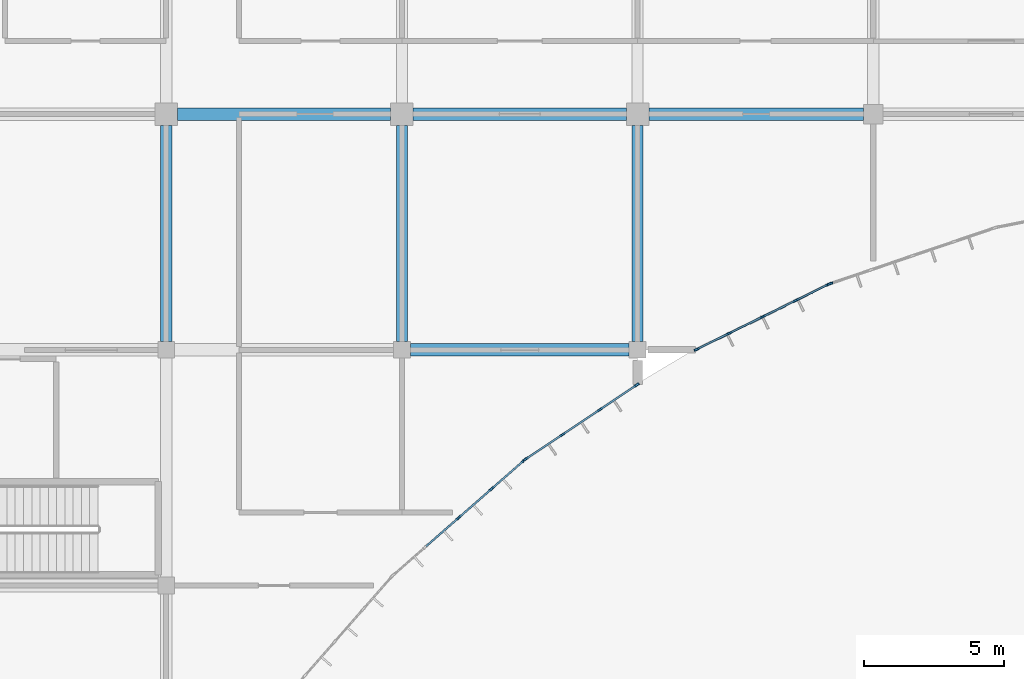
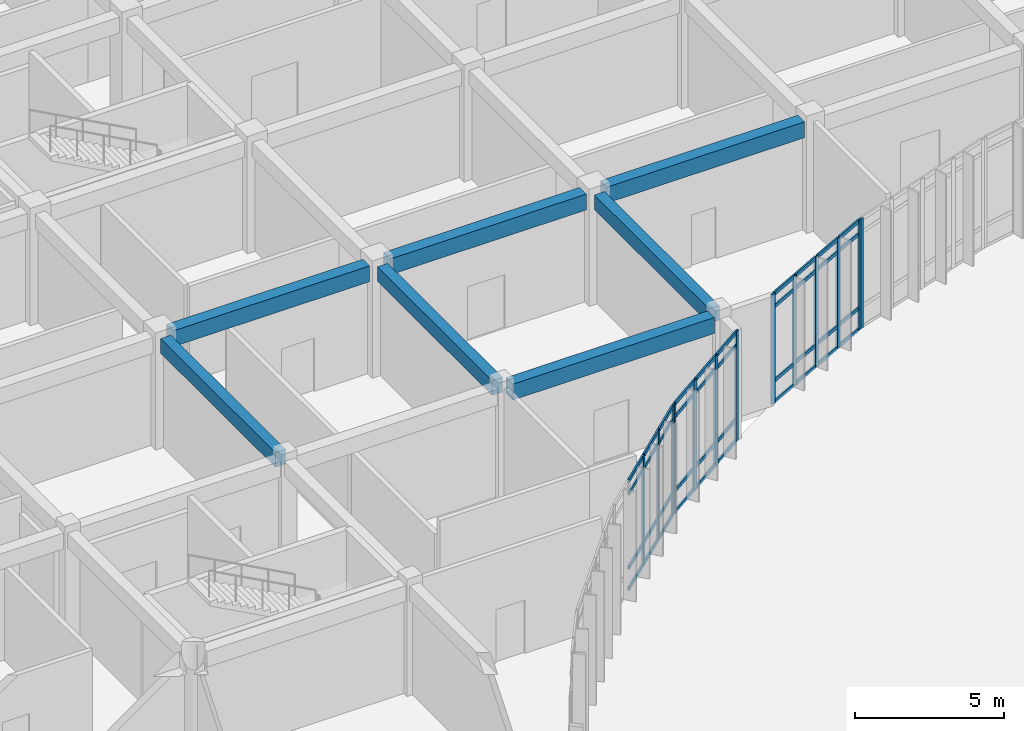
# One storey, part 55 of 138: 53 members, 7 beams, 4 elements without a shape of their own.
"""IFC4 building model written with IfcOpenShell, lengths in metres."""

from ifc_helpers import new_model, si_unit, direction, frame, origin, origin_2d, place, context, subcontext, project, spatial, rectangle, extrude, material, layer, layer_set, material_profile, profile_set, type_object, element, aggregate, save


model = new_model("IFC4")

# Units and contexts
model_context = context("Model", 3, precision=1e-05, world=origin(), true_north=direction((0.0, 1.0)))
body_context = subcontext(model_context, "Body", "Model", "MODEL_VIEW")
ifc_project = project(units=[si_unit("LENGTHUNIT", "METRE"), si_unit("AREAUNIT", "SQUARE_METRE"), si_unit("VOLUMEUNIT", "CUBIC_METRE"), si_unit("PLANEANGLEUNIT", "RADIAN"), si_unit("MASSUNIT", "GRAM", prefix="KILO")], contexts=[model_context])

# Site, building, storey
site_placement = place(None, origin())
site = spatial("IfcSite", under=ifc_project, at=site_placement, CompositionType="ELEMENT")
building_placement = place(site_placement, origin())
building = spatial("IfcBuilding", under=site, at=building_placement, Name="Bramfleet General Hospital", CompositionType="ELEMENT")
storey_placement = place(building_placement, origin())
storey = spatial("IfcBuildingStorey", under=building, at=storey_placement, Name="L00", CompositionType="ELEMENT", Elevation=0.0)

# Beams
ifc_material_1 = material(Name="Concrete C35/45", Category="concrete")
ifc_material_profile_1 = material_profile(ifc_material_1, rectangle(XDim=0.39990234375, YDim=0.60009765625, at=origin_2d()), Name="RC BM 600x400")
ifc_profile_set_1 = profile_set([ifc_material_profile_1], Name="Concrete C35/45")
beam_type_1 = type_object("IfcBeamType", Name="BM-RC600", PredefinedType="BEAM", material=ifc_profile_set_1)
for number, where, z_axis, x_axis, name in (
    (1, (134.39990234375, 84.300048828125, 4.199951171875), (0.0, 1.0, 0.0), (-1.0, 0.0, 0.0), "L00 Grid Beam Y 16-10"),
    (2, (142.800048828125, 84.300048828125, 4.199951171875), (0.0, 1.0, 0.0), (-1.0, 0.0, 0.0), "L00 Grid Beam Y 17-10"),
    (3, (151.199951171875, 84.300048828125, 4.199951171875), (0.0, 1.0, 0.0), (-1.0, 0.0, 0.0), "L00 Grid Beam Y 18-10"),
):
    element("IfcBeam", number, at=place(storey_placement, frame(where, z_axis=z_axis, x_axis=x_axis)), inside=storey, type_object=beam_type_1, Name=name, PredefinedType="BEAM", context=body_context, shape_type="SweptSolid", body=[
        extrude(rectangle(XDim=0.39990234375, YDim=0.60009765625, at=origin_2d()), origin(), (0.0, 0.0, 1.0), 7.699951171875),
    ])
ifc_material_profile_2 = material_profile(ifc_material_1, rectangle(XDim=0.449951171875, YDim=0.64990234375, at=origin_2d()), Name="RC BM 650x450")
ifc_profile_set_2 = profile_set([ifc_material_profile_2], Name="Concrete C35/45")
beam_type_2 = type_object("IfcBeamType", Name="BM-RC650", PredefinedType="BEAM", material=ifc_profile_set_2)
beam_1_placement = place(storey_placement, frame((134.800048828125, 92.39990234375, 4.175048828125), z_axis=(1.0, 0.0, 0.0), x_axis=(0.0, 1.0, 0.0)))
element("IfcBeam", 4, at=beam_1_placement, inside=storey, type_object=beam_type_2, Name="L00 Grid Beam X 16-11", PredefinedType="BEAM", context=body_context, shape_type="SweptSolid", body=[
    extrude(rectangle(XDim=0.449951171875, YDim=0.64990234375, at=origin_2d()), origin(), (0.0, 0.0, 1.0), 7.599853515625),
])
beam_2_placement = place(storey_placement, frame((143.10009765625, 84.0, 4.175048828125), z_axis=(1.0, 0.0, 0.0), x_axis=(0.0, 1.0, 0.0)))
element("IfcBeam", 5, at=beam_2_placement, inside=storey, type_object=beam_type_2, Name="L00 Grid Beam X 17-10", PredefinedType="BEAM", context=body_context, shape_type="SweptSolid", body=[
    extrude(rectangle(XDim=0.449951171875, YDim=0.64990234375, at=origin_2d()), origin(), (0.0, 0.0, 1.0), 7.7998046875),
])
beam_3_placement = place(storey_placement, frame((143.199951171875, 92.39990234375, 4.175048828125), z_axis=(1.0, 0.0, 0.0), x_axis=(0.0, 1.0, 0.0)))
element("IfcBeam", 6, at=beam_3_placement, inside=storey, type_object=beam_type_2, Name="L00 Grid Beam X 17-11", PredefinedType="BEAM", context=body_context, shape_type="SweptSolid", body=[
    extrude(rectangle(XDim=0.449951171875, YDim=0.64990234375, at=origin_2d()), origin(), (0.0, 0.0, 1.0), 7.60009765625),
])
beam_4_placement = place(storey_placement, frame((151.60009765625, 92.39990234375, 4.175048828125), z_axis=(1.0, 0.0, 0.0), x_axis=(0.0, 1.0, 0.0)))
element("IfcBeam", 7, at=beam_4_placement, inside=storey, type_object=beam_type_2, Name="L00 Grid Beam X 18-11", PredefinedType="BEAM", context=body_context, shape_type="SweptSolid", body=[
    extrude(rectangle(XDim=0.449951171875, YDim=0.64990234375, at=origin_2d()), origin(), (0.0, 0.0, 1.0), 7.64990234375),
])

# Curtain wall, member
ifc_material_2 = material(Name="Anodised aluminium and low-E triple glazing", Category="aluminium")
ifc_layer_1 = layer(ifc_material_2, 0.179931640625, Name="CWT-CW-12")
ifc_layer_set_1 = layer_set([ifc_layer_1], Name="Anodised aluminium and low-E triple glazing")
curtain_wall_type_1 = type_object("IfcCurtainWallType", Name="CWT-CW-12", PredefinedType="USERDEFINED", material=ifc_layer_set_1)
curtain_wall_1_placement = place(storey_placement, origin())
curtain_wall_1 = element("IfcCurtainWall", 8, at=curtain_wall_1_placement, inside=storey, type_object=curtain_wall_type_1, Name="L00 Curtain Wall 12", ObjectType="Stick curtain wall", PredefinedType="USERDEFINED")
ifc_material_3 = material(Name="Structural timber GL28h", Category="wood")
ifc_material_profile_3 = material_profile(ifc_material_3, rectangle(XDim=0.070068359375, YDim=0.18994140625, at=origin_2d()), Name="LARCH 190x70")
ifc_profile_set_3 = profile_set([ifc_material_profile_3], Name="Structural timber GL28h")
member_type_1 = type_object("IfcMemberType", Name="CWM-LARCH450", PredefinedType="MULLION", material=ifc_profile_set_3)
member_1_placement = place(storey_placement, frame((158.064208984375, 86.357177734375, 0.0), z_axis=(0.0, 0.0, 1.0), x_axis=(0.321383054181, -0.946949276617, 0.0)))
member_1 = element("IfcMember", 9, at=member_1_placement, type_object=member_type_1, Name="CW-12 mullion 5", PredefinedType="MULLION", context=body_context, shape_type="SweptSolid", body=[
    extrude(rectangle(XDim=0.070068359375, YDim=0.18994140625, at=origin_2d()), origin(), (0.0, 0.0, 1.0), 4.489990234375),
])
aggregate(curtain_wall_1, [member_1])

# Curtain wall, members
ifc_layer_2 = layer(ifc_material_2, 0.179931640625, Name="CWT-CW-13")
ifc_layer_set_2 = layer_set([ifc_layer_2], Name="Anodised aluminium and low-E triple glazing")
curtain_wall_type_2 = type_object("IfcCurtainWallType", Name="CWT-CW-13", PredefinedType="USERDEFINED", material=ifc_layer_set_2)
curtain_wall_2_placement = place(storey_placement, origin())
curtain_wall_2 = element("IfcCurtainWall", 10, at=curtain_wall_2_placement, inside=storey, type_object=curtain_wall_type_2, Name="L00 Curtain Wall 13", ObjectType="Stick curtain wall", PredefinedType="USERDEFINED")
member_2_placement = place(storey_placement, frame((157.99951171875, 86.33056640625, 0.0), z_axis=(0.0, 0.0, 1.0), x_axis=(0.442304948782, -0.896864723513, 0.0)))
member_2 = element("IfcMember", 11, at=member_2_placement, type_object=member_type_1, Name="CW-13 mullion 1", PredefinedType="MULLION", context=body_context, shape_type="SweptSolid", body=[
    extrude(rectangle(XDim=0.070068359375, YDim=0.18994140625, at=origin_2d()), origin(), (0.0, 0.0, 1.0), 4.489990234375),
])
member_3_placement = place(storey_placement, frame((156.841796875, 85.759521484375, 0.0), z_axis=(0.0, 0.0, 1.0), x_axis=(0.442304948782, -0.896864723513, 0.0)))
member_3 = element("IfcMember", 12, at=member_3_placement, type_object=member_type_1, Name="CW-13 mullion 2", PredefinedType="MULLION", context=body_context, shape_type="SweptSolid", body=[
    extrude(rectangle(XDim=0.070068359375, YDim=0.18994140625, at=origin_2d()), origin(), (0.0, 0.0, 1.0), 4.489990234375),
])
member_4_placement = place(storey_placement, frame((155.652587890625, 85.173095703125, 0.0), z_axis=(0.0, 0.0, 1.0), x_axis=(0.442304948782, -0.896864723513, 0.0)))
member_4 = element("IfcMember", 13, at=member_4_placement, type_object=member_type_1, Name="CW-13 mullion 3", PredefinedType="MULLION", context=body_context, shape_type="SweptSolid", body=[
    extrude(rectangle(XDim=0.070068359375, YDim=0.18994140625, at=origin_2d()), origin(), (0.0, 0.0, 1.0), 4.489990234375),
])
member_5_placement = place(storey_placement, frame((154.463134765625, 84.58642578125, 0.0), z_axis=(0.0, 0.0, 1.0), x_axis=(0.442304948782, -0.896864723513, 0.0)))
member_5 = element("IfcMember", 14, at=member_5_placement, type_object=member_type_1, Name="CW-13 mullion 4", PredefinedType="MULLION", context=body_context, shape_type="SweptSolid", body=[
    extrude(rectangle(XDim=0.070068359375, YDim=0.18994140625, at=origin_2d()), origin(), (0.0, 0.0, 1.0), 4.489990234375),
])
member_6_placement = place(storey_placement, frame((153.305419921875, 84.015380859375, 0.0), z_axis=(0.0, 0.0, 1.0), x_axis=(0.442304948782, -0.896864723513, 0.0)))
member_6 = element("IfcMember", 15, at=member_6_placement, type_object=member_type_1, Name="CW-13 mullion 5", PredefinedType="MULLION", context=body_context, shape_type="SweptSolid", body=[
    extrude(rectangle(XDim=0.070068359375, YDim=0.18994140625, at=origin_2d()), origin(), (0.0, 0.0, 1.0), 4.489990234375),
])

ifc_layer_3 = layer(ifc_material_2, 0.179931640625, Name="CWT-CW-14")
ifc_layer_set_3 = layer_set([ifc_layer_3], Name="Anodised aluminium and low-E triple glazing")
curtain_wall_type_3 = type_object("IfcCurtainWallType", Name="CWT-CW-14", PredefinedType="USERDEFINED", material=ifc_layer_set_3)
curtain_wall_3_placement = place(storey_placement, origin())
curtain_wall_3 = element("IfcCurtainWall", 16, at=curtain_wall_3_placement, inside=storey, type_object=curtain_wall_type_3, Name="L00 Curtain Wall 14", ObjectType="Stick curtain wall", PredefinedType="USERDEFINED")
member_7_placement = place(storey_placement, frame((151.1708984375, 82.74755859375, 0.0), z_axis=(0.0, 0.0, 1.0), x_axis=(0.555463530135, -0.831540898988, 0.0)))
member_7 = element("IfcMember", 17, at=member_7_placement, type_object=member_type_1, Name="CW-14 mullion 1", PredefinedType="MULLION", context=body_context, shape_type="SweptSolid", body=[
    extrude(rectangle(XDim=0.070068359375, YDim=0.18994140625, at=origin_2d()), origin(), (0.0, 0.0, 1.0), 4.489990234375),
])
member_8_placement = place(storey_placement, frame((149.859619140625, 81.87158203125, 0.0), z_axis=(0.0, 0.0, 1.0), x_axis=(0.555463530135, -0.831540898988, 0.0)))
member_8 = element("IfcMember", 18, at=member_8_placement, type_object=member_type_1, Name="CW-14 mullion 2", PredefinedType="MULLION", context=body_context, shape_type="SweptSolid", body=[
    extrude(rectangle(XDim=0.070068359375, YDim=0.18994140625, at=origin_2d()), origin(), (0.0, 0.0, 1.0), 4.489990234375),
])
member_9_placement = place(storey_placement, frame((148.519287109375, 80.976318359375, 0.0), z_axis=(0.0, 0.0, 1.0), x_axis=(0.555463530135, -0.831540898988, 0.0)))
member_9 = element("IfcMember", 19, at=member_9_placement, type_object=member_type_1, Name="CW-14 mullion 3", PredefinedType="MULLION", context=body_context, shape_type="SweptSolid", body=[
    extrude(rectangle(XDim=0.070068359375, YDim=0.18994140625, at=origin_2d()), origin(), (0.0, 0.0, 1.0), 4.489990234375),
])
member_10_placement = place(storey_placement, frame((147.2080078125, 80.100341796875, 0.0), z_axis=(0.0, 0.0, 1.0), x_axis=(0.555463530135, -0.831540898988, 0.0)))
member_10 = element("IfcMember", 20, at=member_10_placement, type_object=member_type_1, Name="CW-14 mullion 4", PredefinedType="MULLION", context=body_context, shape_type="SweptSolid", body=[
    extrude(rectangle(XDim=0.070068359375, YDim=0.18994140625, at=origin_2d()), origin(), (0.0, 0.0, 1.0), 4.489990234375),
])

ifc_layer_4 = layer(ifc_material_2, 0.179931640625, Name="CWT-CW-15")
ifc_layer_set_4 = layer_set([ifc_layer_4], Name="Anodised aluminium and low-E triple glazing")
curtain_wall_type_4 = type_object("IfcCurtainWallType", Name="CWT-CW-15", PredefinedType="USERDEFINED", material=ifc_layer_set_4)
curtain_wall_4_placement = place(storey_placement, origin())
curtain_wall_4 = element("IfcCurtainWall", 21, at=curtain_wall_4_placement, inside=storey, type_object=curtain_wall_type_4, Name="L00 Curtain Wall 15", ObjectType="Stick curtain wall", PredefinedType="USERDEFINED")
member_11_placement = place(storey_placement, frame((147.152587890625, 80.057861328125, 0.0), z_axis=(0.0, 0.0, 1.0), x_axis=(0.659406233864, -0.75178681735, 0.0)))
member_11 = element("IfcMember", 22, at=member_11_placement, type_object=member_type_1, Name="CW-15 mullion 1", PredefinedType="MULLION", context=body_context, shape_type="SweptSolid", body=[
    extrude(rectangle(XDim=0.070068359375, YDim=0.18994140625, at=origin_2d()), origin(), (0.0, 0.0, 1.0), 4.489990234375),
])
member_12_placement = place(storey_placement, frame((145.9990234375, 79.0458984375, 0.0), z_axis=(0.0, 0.0, 1.0), x_axis=(0.659406233864, -0.75178681735, 0.0)))
member_12 = element("IfcMember", 23, at=member_12_placement, type_object=member_type_1, Name="CW-15 mullion 2", PredefinedType="MULLION", context=body_context, shape_type="SweptSolid", body=[
    extrude(rectangle(XDim=0.070068359375, YDim=0.18994140625, at=origin_2d()), origin(), (0.0, 0.0, 1.0), 4.489990234375),
])
member_13_placement = place(storey_placement, frame((144.819091796875, 78.010986328125, 0.0), z_axis=(0.0, 0.0, 1.0), x_axis=(0.659406233864, -0.75178681735, 0.0)))
member_13 = element("IfcMember", 24, at=member_13_placement, type_object=member_type_1, Name="CW-15 mullion 3", PredefinedType="MULLION", context=body_context, shape_type="SweptSolid", body=[
    extrude(rectangle(XDim=0.070068359375, YDim=0.18994140625, at=origin_2d()), origin(), (0.0, 0.0, 1.0), 4.489990234375),
])

# Member
ifc_material_profile_4 = material_profile(ifc_material_3, rectangle(XDim=0.06494140625, YDim=0.14990234375, at=origin_2d()), Name="LARCH 150x65")
ifc_profile_set_4 = profile_set([ifc_material_profile_4], Name="Structural timber GL28h")
member_type_2 = type_object("IfcMemberType", Name="CWT-LARCH220", PredefinedType="USERDEFINED", material=ifc_profile_set_4)
member_14_placement = place(storey_placement, frame((157.96826171875, 86.31494140625, 0.032470703125), z_axis=(-0.896892597897, -0.442248423216, 0.0), x_axis=(0.442248423216, -0.896892597897, 0.0)))
member_14 = element("IfcMember", 25, at=member_14_placement, type_object=member_type_2, Name="CW-13 transom 1.1", ObjectType="TRANSOM", PredefinedType="USERDEFINED", context=body_context, shape_type="SweptSolid", body=[
    extrude(rectangle(XDim=0.06494140625, YDim=0.14990234375, at=origin_2d()), origin(), (0.0, 0.0, 1.0), 1.22119140625),
])

member_15_placement = place(storey_placement, frame((157.96826171875, 86.31494140625, 0.89990234375), z_axis=(-0.896892597897, -0.442248423216, 0.0), x_axis=(0.442248423216, -0.896892597897, 0.0)))
member_15 = element("IfcMember", 26, at=member_15_placement, type_object=member_type_2, Name="CW-13 transom 1.2", ObjectType="TRANSOM", PredefinedType="USERDEFINED", context=body_context, shape_type="SweptSolid", body=[
    extrude(rectangle(XDim=0.06494140625, YDim=0.14990234375, at=origin_2d()), origin(), (0.0, 0.0, 1.0), 1.22119140625),
])

member_16_placement = place(storey_placement, frame((157.96826171875, 86.31494140625, 3.93994140625), z_axis=(-0.896892597897, -0.442248423216, 0.0), x_axis=(0.442248423216, -0.896892597897, 0.0)))
member_16 = element("IfcMember", 27, at=member_16_placement, type_object=member_type_2, Name="CW-13 transom 1.3", ObjectType="TRANSOM", PredefinedType="USERDEFINED", context=body_context, shape_type="SweptSolid", body=[
    extrude(rectangle(XDim=0.06494140625, YDim=0.14990234375, at=origin_2d()), origin(), (0.0, 0.0, 1.0), 1.22119140625),
])

member_17_placement = place(storey_placement, frame((157.96826171875, 86.31494140625, 4.45751953125), z_axis=(-0.896892597897, -0.442248423216, 0.0), x_axis=(0.442248423216, -0.896892597897, 0.0)))
member_17 = element("IfcMember", 28, at=member_17_placement, type_object=member_type_2, Name="CW-13 transom 1.4", ObjectType="TRANSOM", PredefinedType="USERDEFINED", context=body_context, shape_type="SweptSolid", body=[
    extrude(rectangle(XDim=0.06494140625, YDim=0.14990234375, at=origin_2d()), origin(), (0.0, 0.0, 1.0), 1.22119140625),
])

member_18_placement = place(storey_placement, frame((156.810302734375, 85.744140625, 0.032470703125), z_axis=(-0.896824392797, -0.44238671825, 0.0), x_axis=(0.44238671825, -0.896824392797, 0.0)))
member_18 = element("IfcMember", 29, at=member_18_placement, type_object=member_type_2, Name="CW-13 transom 2.1", ObjectType="TRANSOM", PredefinedType="USERDEFINED", context=body_context, shape_type="SweptSolid", body=[
    extrude(rectangle(XDim=0.06494140625, YDim=0.14990234375, at=origin_2d()), origin(), (0.0, 0.0, 1.0), 1.256103515625),
])

member_19_placement = place(storey_placement, frame((156.810302734375, 85.744140625, 0.89990234375), z_axis=(-0.896824392797, -0.44238671825, 0.0), x_axis=(0.44238671825, -0.896824392797, 0.0)))
member_19 = element("IfcMember", 30, at=member_19_placement, type_object=member_type_2, Name="CW-13 transom 2.2", ObjectType="TRANSOM", PredefinedType="USERDEFINED", context=body_context, shape_type="SweptSolid", body=[
    extrude(rectangle(XDim=0.06494140625, YDim=0.14990234375, at=origin_2d()), origin(), (0.0, 0.0, 1.0), 1.256103515625),
])

member_20_placement = place(storey_placement, frame((156.810302734375, 85.744140625, 3.93994140625), z_axis=(-0.896824392797, -0.44238671825, 0.0), x_axis=(0.44238671825, -0.896824392797, 0.0)))
member_20 = element("IfcMember", 31, at=member_20_placement, type_object=member_type_2, Name="CW-13 transom 2.3", ObjectType="TRANSOM", PredefinedType="USERDEFINED", context=body_context, shape_type="SweptSolid", body=[
    extrude(rectangle(XDim=0.06494140625, YDim=0.14990234375, at=origin_2d()), origin(), (0.0, 0.0, 1.0), 1.256103515625),
])

member_21_placement = place(storey_placement, frame((156.810302734375, 85.744140625, 4.45751953125), z_axis=(-0.896824392797, -0.44238671825, 0.0), x_axis=(0.44238671825, -0.896824392797, 0.0)))
member_21 = element("IfcMember", 32, at=member_21_placement, type_object=member_type_2, Name="CW-13 transom 2.4", ObjectType="TRANSOM", PredefinedType="USERDEFINED", context=body_context, shape_type="SweptSolid", body=[
    extrude(rectangle(XDim=0.06494140625, YDim=0.14990234375, at=origin_2d()), origin(), (0.0, 0.0, 1.0), 1.256103515625),
])

member_22_placement = place(storey_placement, frame((155.62109375, 85.157470703125, 0.032470703125), z_axis=(-0.89690150088, -0.442230367252, 0.0), x_axis=(0.442230367252, -0.89690150088, 0.0)))
member_22 = element("IfcMember", 33, at=member_22_placement, type_object=member_type_2, Name="CW-13 transom 3.1", ObjectType="TRANSOM", PredefinedType="USERDEFINED", context=body_context, shape_type="SweptSolid", body=[
    extrude(rectangle(XDim=0.06494140625, YDim=0.14990234375, at=origin_2d()), origin(), (0.0, 0.0, 1.0), 1.255859375),
])

member_23_placement = place(storey_placement, frame((155.62109375, 85.157470703125, 0.89990234375), z_axis=(-0.89690150088, -0.442230367252, 0.0), x_axis=(0.442230367252, -0.89690150088, 0.0)))
member_23 = element("IfcMember", 34, at=member_23_placement, type_object=member_type_2, Name="CW-13 transom 3.2", ObjectType="TRANSOM", PredefinedType="USERDEFINED", context=body_context, shape_type="SweptSolid", body=[
    extrude(rectangle(XDim=0.06494140625, YDim=0.14990234375, at=origin_2d()), origin(), (0.0, 0.0, 1.0), 1.255859375),
])

member_24_placement = place(storey_placement, frame((155.62109375, 85.157470703125, 3.93994140625), z_axis=(-0.89690150088, -0.442230367252, 0.0), x_axis=(0.442230367252, -0.89690150088, 0.0)))
member_24 = element("IfcMember", 35, at=member_24_placement, type_object=member_type_2, Name="CW-13 transom 3.3", ObjectType="TRANSOM", PredefinedType="USERDEFINED", context=body_context, shape_type="SweptSolid", body=[
    extrude(rectangle(XDim=0.06494140625, YDim=0.14990234375, at=origin_2d()), origin(), (0.0, 0.0, 1.0), 1.255859375),
])

member_25_placement = place(storey_placement, frame((155.62109375, 85.157470703125, 4.45751953125), z_axis=(-0.89690150088, -0.442230367252, 0.0), x_axis=(0.442230367252, -0.89690150088, 0.0)))
member_25 = element("IfcMember", 36, at=member_25_placement, type_object=member_type_2, Name="CW-13 transom 3.4", ObjectType="TRANSOM", PredefinedType="USERDEFINED", context=body_context, shape_type="SweptSolid", body=[
    extrude(rectangle(XDim=0.06494140625, YDim=0.14990234375, at=origin_2d()), origin(), (0.0, 0.0, 1.0), 1.255859375),
])

member_26_placement = place(storey_placement, frame((154.431884765625, 84.571044921875, 0.032470703125), z_axis=(-0.896892597897, -0.442248423216, 0.0), x_axis=(0.442248423216, -0.896892597897, 0.0)))
member_26 = element("IfcMember", 37, at=member_26_placement, type_object=member_type_2, Name="CW-13 transom 4.1", ObjectType="TRANSOM", PredefinedType="USERDEFINED", context=body_context, shape_type="SweptSolid", body=[
    extrude(rectangle(XDim=0.06494140625, YDim=0.14990234375, at=origin_2d()), origin(), (0.0, 0.0, 1.0), 1.22119140625),
])

member_27_placement = place(storey_placement, frame((154.431884765625, 84.571044921875, 0.89990234375), z_axis=(-0.896892597897, -0.442248423216, 0.0), x_axis=(0.442248423216, -0.896892597897, 0.0)))
member_27 = element("IfcMember", 38, at=member_27_placement, type_object=member_type_2, Name="CW-13 transom 4.2", ObjectType="TRANSOM", PredefinedType="USERDEFINED", context=body_context, shape_type="SweptSolid", body=[
    extrude(rectangle(XDim=0.06494140625, YDim=0.14990234375, at=origin_2d()), origin(), (0.0, 0.0, 1.0), 1.22119140625),
])

member_28_placement = place(storey_placement, frame((154.431884765625, 84.571044921875, 3.93994140625), z_axis=(-0.896892597897, -0.442248423216, 0.0), x_axis=(0.442248423216, -0.896892597897, 0.0)))
member_28 = element("IfcMember", 39, at=member_28_placement, type_object=member_type_2, Name="CW-13 transom 4.3", ObjectType="TRANSOM", PredefinedType="USERDEFINED", context=body_context, shape_type="SweptSolid", body=[
    extrude(rectangle(XDim=0.06494140625, YDim=0.14990234375, at=origin_2d()), origin(), (0.0, 0.0, 1.0), 1.22119140625),
])

member_29_placement = place(storey_placement, frame((154.431884765625, 84.571044921875, 4.45751953125), z_axis=(-0.896892597897, -0.442248423216, 0.0), x_axis=(0.442248423216, -0.896892597897, 0.0)))
member_29 = element("IfcMember", 40, at=member_29_placement, type_object=member_type_2, Name="CW-13 transom 4.4", ObjectType="TRANSOM", PredefinedType="USERDEFINED", context=body_context, shape_type="SweptSolid", body=[
    extrude(rectangle(XDim=0.06494140625, YDim=0.14990234375, at=origin_2d()), origin(), (0.0, 0.0, 1.0), 1.22119140625),
])

aggregate(curtain_wall_2, [member_2, member_3, member_4, member_5, member_6, member_14, member_15, member_16, member_17, member_18, member_19, member_20, member_21, member_22, member_23, member_24, member_25, member_26, member_27, member_28, member_29])

member_30_placement = place(storey_placement, frame((151.141845703125, 82.72802734375, 0.032470703125), z_axis=(-0.831601376927, -0.555372982682, 0.0), x_axis=(0.555372982682, -0.831601376927, 0.0)))
member_30 = element("IfcMember", 41, at=member_30_placement, type_object=member_type_2, Name="CW-14 transom 1.1", ObjectType="TRANSOM", PredefinedType="USERDEFINED", context=body_context, shape_type="SweptSolid", body=[
    extrude(rectangle(XDim=0.06494140625, YDim=0.14990234375, at=origin_2d()), origin(), (0.0, 0.0, 1.0), 1.5068359375),
])

member_31_placement = place(storey_placement, frame((151.141845703125, 82.72802734375, 0.89990234375), z_axis=(-0.831601376927, -0.555372982682, 0.0), x_axis=(0.555372982682, -0.831601376927, 0.0)))
member_31 = element("IfcMember", 42, at=member_31_placement, type_object=member_type_2, Name="CW-14 transom 1.2", ObjectType="TRANSOM", PredefinedType="USERDEFINED", context=body_context, shape_type="SweptSolid", body=[
    extrude(rectangle(XDim=0.06494140625, YDim=0.14990234375, at=origin_2d()), origin(), (0.0, 0.0, 1.0), 1.5068359375),
])

member_32_placement = place(storey_placement, frame((151.141845703125, 82.72802734375, 3.93994140625), z_axis=(-0.831601376927, -0.555372982682, 0.0), x_axis=(0.555372982682, -0.831601376927, 0.0)))
member_32 = element("IfcMember", 43, at=member_32_placement, type_object=member_type_2, Name="CW-14 transom 1.3", ObjectType="TRANSOM", PredefinedType="USERDEFINED", context=body_context, shape_type="SweptSolid", body=[
    extrude(rectangle(XDim=0.06494140625, YDim=0.14990234375, at=origin_2d()), origin(), (0.0, 0.0, 1.0), 1.5068359375),
])

member_33_placement = place(storey_placement, frame((151.141845703125, 82.72802734375, 4.45751953125), z_axis=(-0.831601376927, -0.555372982682, 0.0), x_axis=(0.555372982682, -0.831601376927, 0.0)))
member_33 = element("IfcMember", 44, at=member_33_placement, type_object=member_type_2, Name="CW-14 transom 1.4", ObjectType="TRANSOM", PredefinedType="USERDEFINED", context=body_context, shape_type="SweptSolid", body=[
    extrude(rectangle(XDim=0.06494140625, YDim=0.14990234375, at=origin_2d()), origin(), (0.0, 0.0, 1.0), 1.5068359375),
])

member_34_placement = place(storey_placement, frame((149.83056640625, 81.852294921875, 0.032470703125), z_axis=(-0.831562796213, -0.555430748118, 0.0), x_axis=(0.555430748118, -0.831562796213, 0.0)))
member_34 = element("IfcMember", 45, at=member_34_placement, type_object=member_type_2, Name="CW-14 transom 2.1", ObjectType="TRANSOM", PredefinedType="USERDEFINED", context=body_context, shape_type="SweptSolid", body=[
    extrude(rectangle(XDim=0.06494140625, YDim=0.14990234375, at=origin_2d()), origin(), (0.0, 0.0, 1.0), 1.5419921875),
])

member_35_placement = place(storey_placement, frame((149.83056640625, 81.852294921875, 0.89990234375), z_axis=(-0.831562796213, -0.555430748118, 0.0), x_axis=(0.555430748118, -0.831562796213, 0.0)))
member_35 = element("IfcMember", 46, at=member_35_placement, type_object=member_type_2, Name="CW-14 transom 2.2", ObjectType="TRANSOM", PredefinedType="USERDEFINED", context=body_context, shape_type="SweptSolid", body=[
    extrude(rectangle(XDim=0.06494140625, YDim=0.14990234375, at=origin_2d()), origin(), (0.0, 0.0, 1.0), 1.5419921875),
])

member_36_placement = place(storey_placement, frame((149.83056640625, 81.852294921875, 3.93994140625), z_axis=(-0.831562796213, -0.555430748118, 0.0), x_axis=(0.555430748118, -0.831562796213, 0.0)))
member_36 = element("IfcMember", 47, at=member_36_placement, type_object=member_type_2, Name="CW-14 transom 2.3", ObjectType="TRANSOM", PredefinedType="USERDEFINED", context=body_context, shape_type="SweptSolid", body=[
    extrude(rectangle(XDim=0.06494140625, YDim=0.14990234375, at=origin_2d()), origin(), (0.0, 0.0, 1.0), 1.5419921875),
])

member_37_placement = place(storey_placement, frame((149.83056640625, 81.852294921875, 4.45751953125), z_axis=(-0.831562796213, -0.555430748118, 0.0), x_axis=(0.555430748118, -0.831562796213, 0.0)))
member_37 = element("IfcMember", 48, at=member_37_placement, type_object=member_type_2, Name="CW-14 transom 2.4", ObjectType="TRANSOM", PredefinedType="USERDEFINED", context=body_context, shape_type="SweptSolid", body=[
    extrude(rectangle(XDim=0.06494140625, YDim=0.14990234375, at=origin_2d()), origin(), (0.0, 0.0, 1.0), 1.5419921875),
])

member_38_placement = place(storey_placement, frame((148.490234375, 80.956787109375, 0.032470703125), z_axis=(-0.831551396357, -0.555447815026, 0.0), x_axis=(0.555447815026, -0.831551396357, 0.0)))
member_38 = element("IfcMember", 49, at=member_38_placement, type_object=member_type_2, Name="CW-14 transom 3.1", ObjectType="TRANSOM", PredefinedType="USERDEFINED", context=body_context, shape_type="SweptSolid", body=[
    extrude(rectangle(XDim=0.06494140625, YDim=0.14990234375, at=origin_2d()), origin(), (0.0, 0.0, 1.0), 1.5068359375),
])

member_39_placement = place(storey_placement, frame((148.490234375, 80.956787109375, 0.89990234375), z_axis=(-0.831551396357, -0.555447815026, 0.0), x_axis=(0.555447815026, -0.831551396357, 0.0)))
member_39 = element("IfcMember", 50, at=member_39_placement, type_object=member_type_2, Name="CW-14 transom 3.2", ObjectType="TRANSOM", PredefinedType="USERDEFINED", context=body_context, shape_type="SweptSolid", body=[
    extrude(rectangle(XDim=0.06494140625, YDim=0.14990234375, at=origin_2d()), origin(), (0.0, 0.0, 1.0), 1.5068359375),
])

member_40_placement = place(storey_placement, frame((148.490234375, 80.956787109375, 3.93994140625), z_axis=(-0.831551396357, -0.555447815026, 0.0), x_axis=(0.555447815026, -0.831551396357, 0.0)))
member_40 = element("IfcMember", 51, at=member_40_placement, type_object=member_type_2, Name="CW-14 transom 3.3", ObjectType="TRANSOM", PredefinedType="USERDEFINED", context=body_context, shape_type="SweptSolid", body=[
    extrude(rectangle(XDim=0.06494140625, YDim=0.14990234375, at=origin_2d()), origin(), (0.0, 0.0, 1.0), 1.5068359375),
])

member_41_placement = place(storey_placement, frame((148.490234375, 80.956787109375, 4.45751953125), z_axis=(-0.831551396357, -0.555447815026, 0.0), x_axis=(0.555447815026, -0.831551396357, 0.0)))
member_41 = element("IfcMember", 52, at=member_41_placement, type_object=member_type_2, Name="CW-14 transom 3.4", ObjectType="TRANSOM", PredefinedType="USERDEFINED", context=body_context, shape_type="SweptSolid", body=[
    extrude(rectangle(XDim=0.06494140625, YDim=0.14990234375, at=origin_2d()), origin(), (0.0, 0.0, 1.0), 1.5068359375),
])

aggregate(curtain_wall_3, [member_7, member_8, member_9, member_10, member_30, member_31, member_32, member_33, member_34, member_35, member_36, member_37, member_38, member_39, member_40, member_41])

member_42_placement = place(storey_placement, frame((147.12646484375, 80.034912109375, 0.032470703125), z_axis=(-0.75177071058, -0.659424596686, 0.0), x_axis=(0.659424596686, -0.75177071058, 0.0)))
member_42 = element("IfcMember", 53, at=member_42_placement, type_object=member_type_2, Name="CW-15 transom 1.1", ObjectType="TRANSOM", PredefinedType="USERDEFINED", context=body_context, shape_type="SweptSolid", body=[
    extrude(rectangle(XDim=0.06494140625, YDim=0.14990234375, at=origin_2d()), origin(), (0.0, 0.0, 1.0), 1.464599609375),
])

member_43_placement = place(storey_placement, frame((147.12646484375, 80.034912109375, 0.89990234375), z_axis=(-0.75177071058, -0.659424596686, 0.0), x_axis=(0.659424596686, -0.75177071058, 0.0)))
member_43 = element("IfcMember", 54, at=member_43_placement, type_object=member_type_2, Name="CW-15 transom 1.2", ObjectType="TRANSOM", PredefinedType="USERDEFINED", context=body_context, shape_type="SweptSolid", body=[
    extrude(rectangle(XDim=0.06494140625, YDim=0.14990234375, at=origin_2d()), origin(), (0.0, 0.0, 1.0), 1.464599609375),
])

member_44_placement = place(storey_placement, frame((147.12646484375, 80.034912109375, 3.93994140625), z_axis=(-0.75177071058, -0.659424596686, 0.0), x_axis=(0.659424596686, -0.75177071058, 0.0)))
member_44 = element("IfcMember", 55, at=member_44_placement, type_object=member_type_2, Name="CW-15 transom 1.3", ObjectType="TRANSOM", PredefinedType="USERDEFINED", context=body_context, shape_type="SweptSolid", body=[
    extrude(rectangle(XDim=0.06494140625, YDim=0.14990234375, at=origin_2d()), origin(), (0.0, 0.0, 1.0), 1.464599609375),
])

member_45_placement = place(storey_placement, frame((147.12646484375, 80.034912109375, 4.45751953125), z_axis=(-0.75177071058, -0.659424596686, 0.0), x_axis=(0.659424596686, -0.75177071058, 0.0)))
member_45 = element("IfcMember", 56, at=member_45_placement, type_object=member_type_2, Name="CW-15 transom 1.4", ObjectType="TRANSOM", PredefinedType="USERDEFINED", context=body_context, shape_type="SweptSolid", body=[
    extrude(rectangle(XDim=0.06494140625, YDim=0.14990234375, at=origin_2d()), origin(), (0.0, 0.0, 1.0), 1.464599609375),
])

member_46_placement = place(storey_placement, frame((145.97265625, 79.02294921875, 0.032470703125), z_axis=(-0.751829905296, -0.659357106204, 0.0), x_axis=(0.659357106204, -0.751829905296, 0.0)))
member_46 = element("IfcMember", 57, at=member_46_placement, type_object=member_type_2, Name="CW-15 transom 2.1", ObjectType="TRANSOM", PredefinedType="USERDEFINED", context=body_context, shape_type="SweptSolid", body=[
    extrude(rectangle(XDim=0.06494140625, YDim=0.14990234375, at=origin_2d()), origin(), (0.0, 0.0, 1.0), 1.49951171875),
])

member_47_placement = place(storey_placement, frame((145.97265625, 79.02294921875, 0.89990234375), z_axis=(-0.751829905296, -0.659357106204, 0.0), x_axis=(0.659357106204, -0.751829905296, 0.0)))
member_47 = element("IfcMember", 58, at=member_47_placement, type_object=member_type_2, Name="CW-15 transom 2.2", ObjectType="TRANSOM", PredefinedType="USERDEFINED", context=body_context, shape_type="SweptSolid", body=[
    extrude(rectangle(XDim=0.06494140625, YDim=0.14990234375, at=origin_2d()), origin(), (0.0, 0.0, 1.0), 1.49951171875),
])

member_48_placement = place(storey_placement, frame((145.97265625, 79.02294921875, 3.93994140625), z_axis=(-0.751829905296, -0.659357106204, 0.0), x_axis=(0.659357106204, -0.751829905296, 0.0)))
member_48 = element("IfcMember", 59, at=member_48_placement, type_object=member_type_2, Name="CW-15 transom 2.3", ObjectType="TRANSOM", PredefinedType="USERDEFINED", context=body_context, shape_type="SweptSolid", body=[
    extrude(rectangle(XDim=0.06494140625, YDim=0.14990234375, at=origin_2d()), origin(), (0.0, 0.0, 1.0), 1.49951171875),
])

member_49_placement = place(storey_placement, frame((145.97265625, 79.02294921875, 4.45751953125), z_axis=(-0.751829905296, -0.659357106204, 0.0), x_axis=(0.659357106204, -0.751829905296, 0.0)))
member_49 = element("IfcMember", 60, at=member_49_placement, type_object=member_type_2, Name="CW-15 transom 2.4", ObjectType="TRANSOM", PredefinedType="USERDEFINED", context=body_context, shape_type="SweptSolid", body=[
    extrude(rectangle(XDim=0.06494140625, YDim=0.14990234375, at=origin_2d()), origin(), (0.0, 0.0, 1.0), 1.49951171875),
])

member_50_placement = place(storey_placement, frame((144.792724609375, 77.988037109375, 0.032470703125), z_axis=(-0.751749202304, -0.659449116183, 0.0), x_axis=(0.659449116183, -0.751749202304, 0.0)))
member_50 = element("IfcMember", 61, at=member_50_placement, type_object=member_type_2, Name="CW-15 transom 3.1", ObjectType="TRANSOM", PredefinedType="USERDEFINED", context=body_context, shape_type="SweptSolid", body=[
    extrude(rectangle(XDim=0.06494140625, YDim=0.14990234375, at=origin_2d()), origin(), (0.0, 0.0, 1.0), 1.499755859375),
])

member_51_placement = place(storey_placement, frame((144.792724609375, 77.988037109375, 0.89990234375), z_axis=(-0.751749202304, -0.659449116183, 0.0), x_axis=(0.659449116183, -0.751749202304, 0.0)))
member_51 = element("IfcMember", 62, at=member_51_placement, type_object=member_type_2, Name="CW-15 transom 3.2", ObjectType="TRANSOM", PredefinedType="USERDEFINED", context=body_context, shape_type="SweptSolid", body=[
    extrude(rectangle(XDim=0.06494140625, YDim=0.14990234375, at=origin_2d()), origin(), (0.0, 0.0, 1.0), 1.499755859375),
])

member_52_placement = place(storey_placement, frame((144.792724609375, 77.988037109375, 3.93994140625), z_axis=(-0.751749202304, -0.659449116183, 0.0), x_axis=(0.659449116183, -0.751749202304, 0.0)))
member_52 = element("IfcMember", 63, at=member_52_placement, type_object=member_type_2, Name="CW-15 transom 3.3", ObjectType="TRANSOM", PredefinedType="USERDEFINED", context=body_context, shape_type="SweptSolid", body=[
    extrude(rectangle(XDim=0.06494140625, YDim=0.14990234375, at=origin_2d()), origin(), (0.0, 0.0, 1.0), 1.499755859375),
])

member_53_placement = place(storey_placement, frame((144.792724609375, 77.988037109375, 4.45751953125), z_axis=(-0.751749202304, -0.659449116183, 0.0), x_axis=(0.659449116183, -0.751749202304, 0.0)))
member_53 = element("IfcMember", 64, at=member_53_placement, type_object=member_type_2, Name="CW-15 transom 3.4", ObjectType="TRANSOM", PredefinedType="USERDEFINED", context=body_context, shape_type="SweptSolid", body=[
    extrude(rectangle(XDim=0.06494140625, YDim=0.14990234375, at=origin_2d()), origin(), (0.0, 0.0, 1.0), 1.499755859375),
])

aggregate(curtain_wall_4, [member_11, member_12, member_13, member_42, member_43, member_44, member_45, member_46, member_47, member_48, member_49, member_50, member_51, member_52, member_53])

save(model, "model.ifc")
